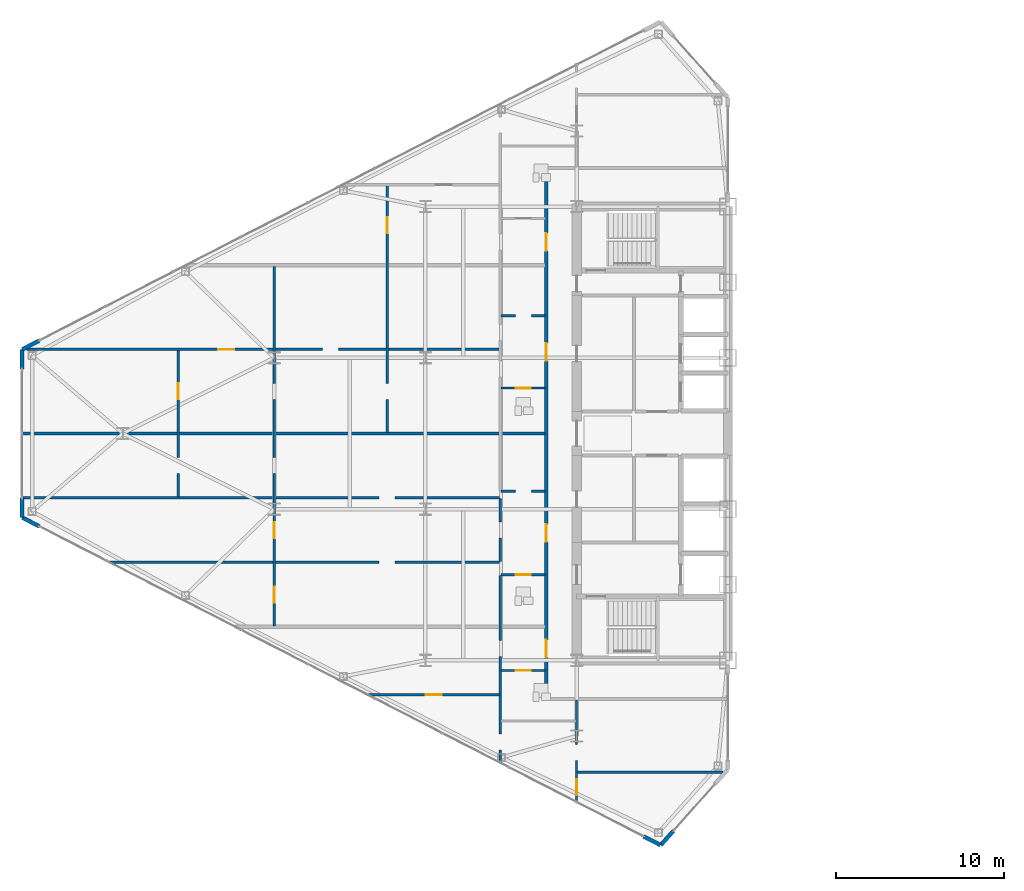
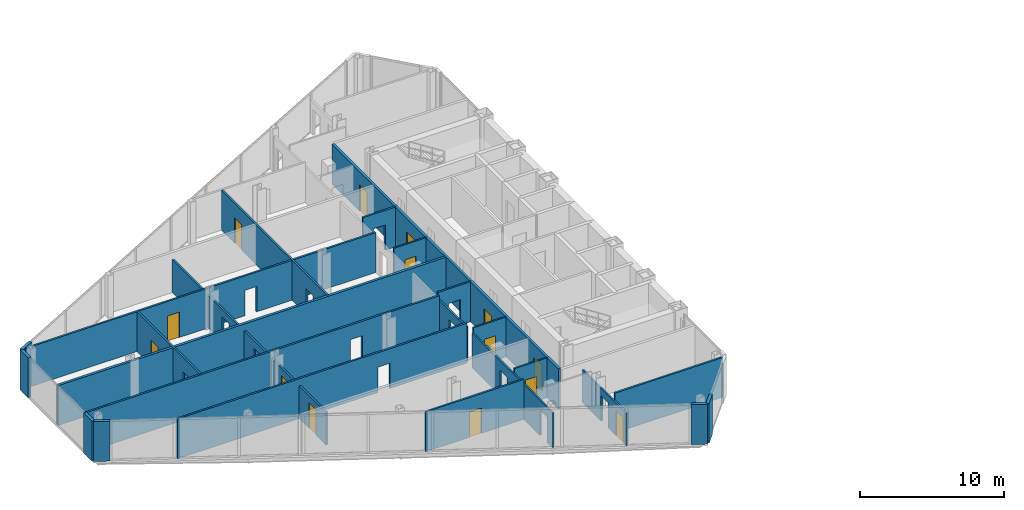
# One storey, part 16 of 24: 24 walls, 14 doors, 27 openings.
"""IFC4 building model written with IfcOpenShell, lengths in metres."""

from ifc_helpers import new_model, si_unit, direction, frame, frame_2d, origin, place, context, subcontext, project, spatial, rectangle, extrude, source, transform, mapped, material, layer, layer_set, type_object, type_shapes, element, fill, save


model = new_model("IFC4")

# Units and contexts
model_context = context("Model", 3, precision=1e-05, world=origin(), true_north=direction((0.0, 1.0)))
body_context = subcontext(model_context, "Body", "Model", "MODEL_VIEW")
ifc_project = project(units=[si_unit("LENGTHUNIT", "METRE"), si_unit("AREAUNIT", "SQUARE_METRE"), si_unit("VOLUMEUNIT", "CUBIC_METRE"), si_unit("PLANEANGLEUNIT", "RADIAN"), si_unit("MASSUNIT", "GRAM", prefix="KILO")], contexts=[model_context])

# Site, building, storey
site_placement = place(None, origin())
site = spatial("IfcSite", under=ifc_project, at=site_placement, CompositionType="ELEMENT")
building_placement = place(site_placement, origin())
building = spatial("IfcBuilding", under=site, at=building_placement, Name="Seokmaru Belvedere", CompositionType="ELEMENT")
storey_placement = place(building_placement, frame((0.0, 0.0, 140.39990234375)))
storey = spatial("IfcBuildingStorey", under=building, at=storey_placement, Name="L37", CompositionType="ELEMENT", Elevation=140.39990234375)

# Wall
ifc_material_1 = material(Name="Fire-Rated Gypsum Shaftwall")
ifc_layer_1 = layer(ifc_material_1, 0.14990234375)
ifc_layer_set_1 = layer_set([ifc_layer_1], Name="Fire-Rated Gypsum Shaftwall")
wall_type_1 = type_object("IfcWallType", Name="Apartment Fire-Acoustic Room Partition 150", PredefinedType="PARTITIONING", material=ifc_layer_set_1)
wall_1_placement = place(storey_placement, frame((-36.449951171875, -20.14990234375, 0.0), z_axis=(0.0, 0.0, 1.0), x_axis=(1.0, 0.0, 0.0)))
element("IfcWall", 1, at=wall_1_placement, inside=storey, type_object=wall_type_1, Name="L37 Interior Partition 001", PredefinedType="PARTITIONING", context=body_context, shape_type="SweptSolid", body=[
    extrude(rectangle(XDim=8.6494140625, YDim=0.14990234375, at=frame_2d((4.32470703125, 0.0))), origin(), (0.0, 0.0, 1.0), 3.380126953125),
])

# Wall, opening, door
wall_2_placement = place(storey_placement, frame((-48.97705078125, -15.550048828125, 0.0), z_axis=(0.0, 0.0, 1.0), x_axis=(1.0, 0.0, 0.0)))
wall_2 = element("IfcWall", 2, at=wall_2_placement, inside=storey, type_object=wall_type_1, Name="L37 Interior Partition 005", PredefinedType="PARTITIONING", context=body_context, shape_type="SweptSolid", body=[
    extrude(rectangle(XDim=7.876953125, YDim=0.14990234375, at=frame_2d((3.9384765625, 0.0))), origin(), (0.0, 0.0, 1.0), 3.380126953125),
])
opening_1_placement = place(wall_2_placement, frame((3.506103515625, 0.0, 0.0)))
opening_1 = element("IfcOpeningElement", 3, at=opening_1_placement, cuts=wall_2, Name="Opening D05", PredefinedType="OPENING", context=body_context, shape_type="SweptSolid", body=[
    extrude(rectangle(XDim=0.949951171875, YDim=2.14990234375, at=frame_2d((0.47509765625, 1.074951171875))), frame((0.0, 0.0849609375, 0.0), z_axis=(0.0, -1.0, 0.0), x_axis=(1.0, 0.0, 0.0)), (0.0, 0.0, 1.0), 0.169921875),
])
ifc_material_2 = material(Name="Engineered White Oak Timber", Category="wood")
door_type_1 = type_object("IfcDoorType", Name="Apartment Interior Fire-Rated Oak Door 950x2150", OperationType="NOTDEFINED", PredefinedType="DOOR", material=ifc_material_2)
shared_shape_1 = source(origin(), body_context, "Body", "SweptSolid", [
    extrude(rectangle(XDim=0.949951171875, YDim=2.14990234375, at=frame_2d((0.47509765625, 1.074951171875))), frame((0.0, 0.02490234375, 0.0), z_axis=(0.0, -1.0, 0.0), x_axis=(1.0, 0.0, 0.0)), (0.0, 0.0, 1.0), 0.050048828125),
])
type_shapes(door_type_1, [shared_shape_1])
door_1_placement = place(opening_1_placement, origin())
door_1 = element("IfcDoor", 4, at=door_1_placement, inside=storey, type_object=door_type_1, Name="L37 Interior Door 004", OperationType="SINGLE_SWING_RIGHT", OverallHeight=2.14990234375, OverallWidth=0.949951171875, PredefinedType="DOOR", context=body_context, shape_type="MappedRepresentation", body=[
    mapped(shared_shape_1, transform((0.0, 0.0, 0.0), scale=1.0)),
])
fill(opening_1, door_1)

# Wall, opening
wall_3_placement = place(storey_placement, frame((-64.337890625, -7.669921875, 0.0), z_axis=(0.0, 0.0, 1.0), x_axis=(1.0, 0.0, 0.0)))
wall_3 = element("IfcWall", 5, at=wall_3_placement, inside=storey, type_object=wall_type_1, Name="L37 Interior Partition 012", PredefinedType="PARTITIONING", context=body_context, shape_type="SweptSolid", body=[
    extrude(rectangle(XDim=23.23779296875, YDim=0.14990234375, at=frame_2d((11.618896484375, 0.0))), origin(), (0.0, 0.0, 1.0), 3.380126953125),
])
opening_2_placement = place(wall_3_placement, frame((16.087890625, 0.0, 0.0)))
element("IfcOpeningElement", 6, at=opening_2_placement, cuts=wall_3, Name="L37 Cased Opening 013", PredefinedType="OPENING", context=body_context, shape_type="SweptSolid", body=[
    extrude(rectangle(XDim=0.949951171875, YDim=2.14990234375, at=frame_2d((0.47509765625, 1.074951171875))), frame((0.0, 0.0849609375, 0.0), z_axis=(0.0, -1.0, 0.0), x_axis=(1.0, 0.0, 0.0)), (0.0, 0.0, 1.0), 0.169921875),
])

wall_4_placement = place(storey_placement, frame((-69.534912109375, -3.830078125, 0.0), z_axis=(0.0, 0.0, 1.0), x_axis=(1.0, 0.0, 0.0)))
wall_4 = element("IfcWall", 7, at=wall_4_placement, inside=storey, type_object=wall_type_1, Name="L37 Interior Partition 015", PredefinedType="PARTITIONING", context=body_context, shape_type="SweptSolid", body=[
    extrude(rectangle(XDim=28.434814453125, YDim=0.14990234375, at=frame_2d((14.21728515625, 0.0))), origin(), (0.0, 0.0, 1.0), 3.380126953125),
])
opening_3_placement = place(wall_4_placement, frame((21.284912109375, 0.0, 0.0)))
element("IfcOpeningElement", 8, at=opening_3_placement, cuts=wall_4, Name="L37 Cased Opening 014", PredefinedType="OPENING", context=body_context, shape_type="SweptSolid", body=[
    extrude(rectangle(XDim=0.949951171875, YDim=2.14990234375, at=frame_2d((0.47509765625, 1.074951171875))), frame((0.0, 0.0849609375, 0.0), z_axis=(0.0, -1.0, 0.0), x_axis=(1.0, 0.0, 0.0)), (0.0, 0.0, 1.0), 0.169921875),
])

wall_5_placement = place(storey_placement, frame((-41.0, -3.449951171875, 0.0), z_axis=(0.0, 0.0, 1.0), x_axis=(1.0, 0.0, 0.0)))
wall_5 = element("IfcWall", 9, at=wall_5_placement, inside=storey, type_object=wall_type_1, Name="L37 Interior Partition 016", PredefinedType="PARTITIONING", context=body_context, shape_type="SweptSolid", body=[
    extrude(rectangle(XDim=2.64990234375, YDim=0.14990234375, at=frame_2d((1.324951171875, 0.0))), origin(), (0.0, 0.0, 1.0), 3.380126953125),
])
opening_4_placement = place(wall_5_placement, frame((0.85009765625, 0.0, 0.0)))
element("IfcOpeningElement", 10, at=opening_4_placement, cuts=wall_5, Name="L37 Cased Opening 010", PredefinedType="OPENING", context=body_context, shape_type="SweptSolid", body=[
    extrude(rectangle(XDim=0.949951171875, YDim=2.14990234375, at=frame_2d((0.47509765625, 1.074951171875))), frame((0.0, 0.0849609375, 0.0), z_axis=(0.0, -1.0, 0.0), x_axis=(1.0, 0.0, 0.0)), (0.0, 0.0, 1.0), 0.169921875),
])

# Wall, openings, door
wall_6_placement = place(storey_placement, frame((-69.226318359375, 5.0, 0.0), z_axis=(0.0, 0.0, 1.0), x_axis=(1.0, 0.0, 0.0)))
wall_6 = element("IfcWall", 11, at=wall_6_placement, inside=storey, type_object=wall_type_1, Name="L37 Interior Partition 022", PredefinedType="PARTITIONING", context=body_context, shape_type="SweptSolid", body=[
    extrude(rectangle(XDim=28.126220703125, YDim=0.14990234375, at=frame_2d((14.06298828125, 0.0))), origin(), (0.0, 0.0, 1.0), 3.380126953125),
])
opening_5_placement = place(wall_6_placement, frame((11.4013671875, 0.0, 0.0)))
opening_5 = element("IfcOpeningElement", 12, at=opening_5_placement, cuts=wall_6, Name="Opening D05", PredefinedType="OPENING", context=body_context, shape_type="SweptSolid", body=[
    extrude(rectangle(XDim=0.949951171875, YDim=2.14990234375, at=frame_2d((0.47509765625, 1.074951171875))), frame((0.0, 0.0849609375, 0.0), z_axis=(0.0, -1.0, 0.0), x_axis=(1.0, 0.0, 0.0)), (0.0, 0.0, 1.0), 0.169921875),
])
opening_6_placement = place(wall_6_placement, frame((17.61376953125, 0.0, 0.0)))
element("IfcOpeningElement", 13, at=opening_6_placement, cuts=wall_6, Name="L37 Cased Opening 027", PredefinedType="OPENING", context=body_context, shape_type="SweptSolid", body=[
    extrude(rectangle(XDim=0.949951171875, YDim=2.14990234375, at=frame_2d((0.47509765625, 1.074951171875))), frame((0.0, 0.0849609375, 0.0), z_axis=(0.0, -1.0, 0.0), x_axis=(1.0, 0.0, 0.0)), (0.0, 0.0, 1.0), 0.169921875),
])
door_2_placement = place(opening_5_placement, origin())
door_2 = element("IfcDoor", 14, at=door_2_placement, inside=storey, type_object=door_type_1, Name="L37 Interior Door 026", OperationType="SINGLE_SWING_RIGHT", OverallHeight=2.14990234375, OverallWidth=0.949951171875, PredefinedType="DOOR", context=body_context, shape_type="MappedRepresentation", body=[
    mapped(shared_shape_1, transform((0.0, 0.0, 0.0), scale=1.0)),
])
fill(opening_5, door_2)

# Wall, opening
wall_7_placement = place(storey_placement, frame((-41.0, 7.0, 0.0), z_axis=(0.0, 0.0, 1.0), x_axis=(1.0, 0.0, 0.0)))
wall_7 = element("IfcWall", 15, at=wall_7_placement, inside=storey, type_object=wall_type_1, Name="L37 Interior Partition 025", PredefinedType="PARTITIONING", context=body_context, shape_type="SweptSolid", body=[
    extrude(rectangle(XDim=2.64990234375, YDim=0.14990234375, at=frame_2d((1.324951171875, 0.0))), origin(), (0.0, 0.0, 1.0), 3.380126953125),
])
opening_7_placement = place(wall_7_placement, frame((0.85009765625, 0.0, 0.0)))
element("IfcOpeningElement", 16, at=opening_7_placement, cuts=wall_7, Name="L37 Cased Opening 020", PredefinedType="OPENING", context=body_context, shape_type="SweptSolid", body=[
    extrude(rectangle(XDim=0.949951171875, YDim=2.14990234375, at=frame_2d((0.47509765625, 1.074951171875))), frame((0.0, 0.0849609375, 0.0), z_axis=(0.0, -1.0, 0.0), x_axis=(1.0, 0.0, 0.0)), (0.0, 0.0, 1.0), 0.169921875),
])

# Wall, openings, door
wall_8_placement = place(storey_placement, frame((-60.199951171875, -3.782958984375, 0.0), z_axis=(0.0, 0.0, 1.0), x_axis=(0.0, 1.0, 0.0)))
wall_8 = element("IfcWall", 17, at=wall_8_placement, inside=storey, type_object=wall_type_1, Name="L37 Interior Partition 034", PredefinedType="PARTITIONING", context=body_context, shape_type="SweptSolid", body=[
    extrude(rectangle(XDim=8.73291015625, YDim=0.14990234375, at=frame_2d((4.366455078125, 0.0))), origin(), (0.0, 0.0, 1.0), 3.380126953125),
])
opening_8_placement = place(wall_8_placement, frame((1.391357421875, 0.0, 0.0)))
element("IfcOpeningElement", 18, at=opening_8_placement, cuts=wall_8, Name="L37 Cased Opening 017", PredefinedType="OPENING", context=body_context, shape_type="SweptSolid", body=[
    extrude(rectangle(XDim=0.949951171875, YDim=2.14990234375, at=frame_2d((0.47509765625, 1.074951171875))), frame((0.0, 0.0849609375, 0.0), z_axis=(0.0, -1.0, 0.0), x_axis=(1.0, 0.0, 0.0)), (0.0, 0.0, 1.0), 0.169921875),
])
opening_9_placement = place(wall_8_placement, frame((5.80810546875, 0.0, 0.0)))
opening_9 = element("IfcOpeningElement", 19, at=opening_9_placement, cuts=wall_8, Name="Opening D05", PredefinedType="OPENING", context=body_context, shape_type="SweptSolid", body=[
    extrude(rectangle(XDim=0.949951171875, YDim=2.14990234375, at=frame_2d((0.47509765625, 1.074951171875))), frame((0.0, 0.0849609375, 0.0), z_axis=(0.0, -1.0, 0.0), x_axis=(1.0, 0.0, 0.0)), (0.0, 0.0, 1.0), 0.169921875),
])
door_3_placement = place(opening_9_placement, origin())
door_3 = element("IfcDoor", 20, at=door_3_placement, inside=storey, type_object=door_type_1, Name="L37 Interior Door 025", OperationType="SINGLE_SWING_RIGHT", OverallHeight=2.14990234375, OverallWidth=0.949951171875, PredefinedType="DOOR", context=body_context, shape_type="MappedRepresentation", body=[
    mapped(shared_shape_1, transform((0.0, 0.0, 0.0), scale=1.0)),
])
fill(opening_9, door_3)

# Wall, openings, doors
wall_9_placement = place(storey_placement, frame((-54.5, -11.449951171875, 0.0), z_axis=(0.0, 0.0, 1.0), x_axis=(0.0, 1.0, 0.0)))
wall_9 = element("IfcWall", 21, at=wall_9_placement, inside=storey, type_object=wall_type_1, Name="L37 Interior Partition 035", PredefinedType="PARTITIONING", context=body_context, shape_type="SweptSolid", body=[
    extrude(rectangle(XDim=21.39990234375, YDim=0.14990234375, at=frame_2d((10.699951171875, 0.0))), origin(), (0.0, 0.0, 1.0), 2.780029296875),
])
opening_10_placement = place(wall_9_placement, frame((5.22509765625, 0.0, 0.0)))
opening_10 = element("IfcOpeningElement", 22, at=opening_10_placement, cuts=wall_9, Name="Opening D05", PredefinedType="OPENING", context=body_context, shape_type="SweptSolid", body=[
    extrude(rectangle(XDim=0.949951171875, YDim=2.14990234375, at=frame_2d((0.47509765625, 1.074951171875))), frame((0.0, 0.0849609375, 0.0), z_axis=(0.0, -1.0, 0.0), x_axis=(1.0, 0.0, 0.0)), (0.0, 0.0, 1.0), 0.169921875),
])
opening_11_placement = place(wall_9_placement, frame((1.3916015625, 0.0, 0.0)))
opening_11 = element("IfcOpeningElement", 23, at=opening_11_placement, cuts=wall_9, Name="Opening D05", PredefinedType="OPENING", context=body_context, shape_type="SweptSolid", body=[
    extrude(rectangle(XDim=0.949951171875, YDim=2.14990234375, at=frame_2d((0.47509765625, 1.074951171875))), frame((0.0, 0.0849609375, 0.0), z_axis=(0.0, -1.0, 0.0), x_axis=(1.0, 0.0, 0.0)), (0.0, 0.0, 1.0), 0.169921875),
])
opening_12_placement = place(wall_9_placement, frame((9.058349609375, 0.0, 0.0)))
element("IfcOpeningElement", 24, at=opening_12_placement, cuts=wall_9, Name="L37 Cased Opening 016", PredefinedType="OPENING", context=body_context, shape_type="SweptSolid", body=[
    extrude(rectangle(XDim=0.949951171875, YDim=2.14990234375, at=frame_2d((0.47509765625, 1.074951171875))), frame((0.0, 0.0849609375, 0.0), z_axis=(0.0, -1.0, 0.0), x_axis=(1.0, 0.0, 0.0)), (0.0, 0.0, 1.0), 0.169921875),
])
opening_13_placement = place(wall_9_placement, frame((13.47509765625, 0.0, 0.0)))
element("IfcOpeningElement", 25, at=opening_13_placement, cuts=wall_9, Name="L37 Cased Opening 024", PredefinedType="OPENING", context=body_context, shape_type="SweptSolid", body=[
    extrude(rectangle(XDim=0.949951171875, YDim=2.14990234375, at=frame_2d((0.47509765625, 1.074951171875))), frame((0.0, 0.0849609375, 0.0), z_axis=(0.0, -1.0, 0.0), x_axis=(1.0, 0.0, 0.0)), (0.0, 0.0, 1.0), 0.169921875),
])
door_4_placement = place(opening_10_placement, origin())
door_4 = element("IfcDoor", 26, at=door_4_placement, inside=storey, type_object=door_type_1, Name="L37 Interior Door 012", OperationType="SINGLE_SWING_LEFT", OverallHeight=2.14990234375, OverallWidth=0.949951171875, PredefinedType="DOOR", context=body_context, shape_type="MappedRepresentation", body=[
    mapped(shared_shape_1, transform((0.0, 0.0, 0.0), scale=1.0)),
])
fill(opening_10, door_4)
door_5_placement = place(opening_11_placement, origin())
door_5 = element("IfcDoor", 27, at=door_5_placement, inside=storey, type_object=door_type_1, Name="L37 Interior Door 015", OperationType="SINGLE_SWING_LEFT", OverallHeight=2.14990234375, OverallWidth=0.949951171875, PredefinedType="DOOR", context=body_context, shape_type="MappedRepresentation", body=[
    mapped(shared_shape_1, transform((0.0, 0.0, 0.0), scale=1.0)),
])
fill(opening_11, door_5)

# Wall, openings, door
wall_10_placement = place(storey_placement, frame((-47.77001953125, 0.050048828125, 0.0), z_axis=(0.0, 0.0, 1.0), x_axis=(0.0, 1.0, 0.0)))
wall_10 = element("IfcWall", 28, at=wall_10_placement, inside=storey, type_object=wall_type_1, Name="L37 Interior Partition 036", PredefinedType="PARTITIONING", context=body_context, shape_type="SweptSolid", body=[
    extrude(rectangle(XDim=14.699951171875, YDim=0.14990234375, at=frame_2d((7.35009765625, 0.0))), origin(), (0.0, 0.0, 1.0), 3.380126953125),
])
opening_14_placement = place(wall_10_placement, frame((1.97509765625, 0.0, 0.0)))
element("IfcOpeningElement", 29, at=opening_14_placement, cuts=wall_10, Name="L37 Cased Opening 023", PredefinedType="OPENING", context=body_context, shape_type="SweptSolid", body=[
    extrude(rectangle(XDim=0.949951171875, YDim=2.14990234375, at=frame_2d((0.47509765625, 1.074951171875))), frame((0.0, 0.0849609375, 0.0), z_axis=(0.0, -1.0, 0.0), x_axis=(1.0, 0.0, 0.0)), (0.0, 0.0, 1.0), 0.169921875),
])
opening_15_placement = place(wall_10_placement, frame((11.874755859375, 0.0, 0.0)))
opening_15 = element("IfcOpeningElement", 30, at=opening_15_placement, cuts=wall_10, Name="Opening D05", PredefinedType="OPENING", context=body_context, shape_type="SweptSolid", body=[
    extrude(rectangle(XDim=0.949951171875, YDim=2.14990234375, at=frame_2d((0.47509765625, 1.074951171875))), frame((0.0, 0.0849609375, 0.0), z_axis=(0.0, -1.0, 0.0), x_axis=(1.0, 0.0, 0.0)), (0.0, 0.0, 1.0), 0.169921875),
])
door_6_placement = place(opening_15_placement, origin())
door_6 = element("IfcDoor", 31, at=door_6_placement, inside=storey, type_object=door_type_1, Name="L37 Interior Door 031", OperationType="SINGLE_SWING_RIGHT", OverallHeight=2.14990234375, OverallWidth=0.949951171875, PredefinedType="DOOR", context=body_context, shape_type="MappedRepresentation", body=[
    mapped(shared_shape_1, transform((0.0, 0.0, 0.0), scale=1.0)),
])
fill(opening_15, door_6)

# Wall, opening
wall_11_placement = place(storey_placement, frame((-41.050048828125, -7.616943359375, 0.0), z_axis=(0.0, 0.0, 1.0), x_axis=(0.0, 1.0, 0.0)))
wall_11 = element("IfcWall", 32, at=wall_11_placement, inside=storey, type_object=wall_type_1, Name="L37 Interior Partition 038", PredefinedType="PARTITIONING", context=body_context, shape_type="SweptSolid", body=[
    extrude(rectangle(XDim=3.73388671875, YDim=0.14990234375, at=frame_2d((1.866943359375, 0.0))), origin(), (0.0, 0.0, 1.0), 2.989990234375),
])
opening_16_placement = place(wall_11_placement, frame((1.39208984375, 0.0, 0.0)))
element("IfcOpeningElement", 33, at=opening_16_placement, cuts=wall_11, Name="L37 Cased Opening 011", PredefinedType="OPENING", context=body_context, shape_type="SweptSolid", body=[
    extrude(rectangle(XDim=0.949951171875, YDim=2.14990234375, at=frame_2d((0.47509765625, 1.074951171875))), frame((0.0, 0.0849609375, 0.0), z_axis=(0.0, -1.0, 0.0), x_axis=(1.0, 0.0, 0.0)), (0.0, 0.0, 1.0), 0.169921875),
])

# Wall
ifc_layer_2 = layer(ifc_material_1, 0.199951171875)
ifc_layer_set_2 = layer_set([ifc_layer_2], Name="Fire-Rated Gypsum Shaftwall")
wall_type_2 = type_object("IfcWallType", Name="Inter-Tenancy Fire Compartment Partition 200", PredefinedType="PARTITIONING", material=ifc_layer_set_2)
wall_12_placement = place(storey_placement, frame((-69.5048828125, 0.0, 0.0), z_axis=(0.0, 0.0, 1.0), x_axis=(1.0, 0.0, 0.0)))
element("IfcWall", 34, at=wall_12_placement, inside=storey, type_object=wall_type_2, Name="L37 Interior Partition 018", PredefinedType="PARTITIONING", context=body_context, shape_type="SweptSolid", body=[
    extrude(rectangle(XDim=31.125, YDim=0.199951171875, at=frame_2d((15.5625, 0.0))), origin(), (0.0, 0.0, 1.0), 3.380126953125),
])

# Wall, openings, doors
wall_13_placement = place(storey_placement, frame((-38.300048828125, -15.715087890625, 0.0), z_axis=(0.0, 0.0, 1.0), x_axis=(0.0, 1.0, 0.0)))
wall_13 = element("IfcWall", 35, at=wall_13_placement, inside=storey, type_object=wall_type_2, Name="L37 Interior Partition 040", PredefinedType="PARTITIONING", context=body_context, shape_type="SweptSolid", body=[
    extrude(rectangle(XDim=31.43017578125, YDim=0.199951171875, at=frame_2d((15.715087890625, 0.0))), origin(), (0.0, 0.0, 1.0), 3.380126953125),
])
opening_17_placement = place(wall_13_placement, frame((2.389892578125, 0.0, 0.0)))
opening_17 = element("IfcOpeningElement", 36, at=opening_17_placement, cuts=wall_13, Name="Opening D03", PredefinedType="OPENING", context=body_context, shape_type="SweptSolid", body=[
    extrude(rectangle(XDim=1.050048828125, YDim=2.25, at=frame_2d((0.52490234375, 1.125))), frame((0.0, 0.10986328125, 0.0), z_axis=(0.0, -1.0, 0.0), x_axis=(1.0, 0.0, 0.0)), (0.0, 0.0, 1.0), 0.219970703125),
])
opening_18_placement = place(wall_13_placement, frame((9.267578125, 0.0, 0.0)))
opening_18 = element("IfcOpeningElement", 37, at=opening_18_placement, cuts=wall_13, Name="Opening D03", PredefinedType="OPENING", context=body_context, shape_type="SweptSolid", body=[
    extrude(rectangle(XDim=1.050048828125, YDim=2.25, at=frame_2d((0.52490234375, 1.125))), frame((0.0, 0.10986328125, 0.0), z_axis=(0.0, -1.0, 0.0), x_axis=(1.0, 0.0, 0.0)), (0.0, 0.0, 1.0), 0.219970703125),
])
opening_19_placement = place(wall_13_placement, frame((20.0400390625, 0.0, 0.0)))
opening_19 = element("IfcOpeningElement", 38, at=opening_19_placement, cuts=wall_13, Name="Opening D03", PredefinedType="OPENING", context=body_context, shape_type="SweptSolid", body=[
    extrude(rectangle(XDim=1.050048828125, YDim=2.25, at=frame_2d((0.52490234375, 1.125))), frame((0.0, 0.10986328125, 0.0), z_axis=(0.0, -1.0, 0.0), x_axis=(1.0, 0.0, 0.0)), (0.0, 0.0, 1.0), 0.219970703125),
])
opening_20_placement = place(wall_13_placement, frame((26.58740234375, 0.0, 0.0)))
opening_20 = element("IfcOpeningElement", 39, at=opening_20_placement, cuts=wall_13, Name="Opening D03", PredefinedType="OPENING", context=body_context, shape_type="SweptSolid", body=[
    extrude(rectangle(XDim=1.050048828125, YDim=2.25, at=frame_2d((0.52490234375, 1.125))), frame((0.0, 0.10986328125, 0.0), z_axis=(0.0, -1.0, 0.0), x_axis=(1.0, 0.0, 0.0)), (0.0, 0.0, 1.0), 0.219970703125),
])
ifc_material_3 = material(Name="Fire-Rated Steel Leaf", Category="steel")
door_type_2 = type_object("IfcDoorType", Name="Apartment Entrance Fire Door 1050x2250", OperationType="NOTDEFINED", PredefinedType="DOOR", material=ifc_material_3)
shared_shape_2 = source(origin(), body_context, "Body", "SweptSolid", [
    extrude(rectangle(XDim=1.050048828125, YDim=2.25, at=frame_2d((0.52490234375, 1.125))), frame((0.0, 0.02490234375, 0.0), z_axis=(0.0, -1.0, 0.0), x_axis=(1.0, 0.0, 0.0)), (0.0, 0.0, 1.0), 0.050048828125),
])
type_shapes(door_type_2, [shared_shape_2])
door_7_placement = place(opening_17_placement, origin())
door_7 = element("IfcDoor", 40, at=door_7_placement, inside=storey, type_object=door_type_2, Name="L37 Interior Door 001", OperationType="SINGLE_SWING_RIGHT", OverallHeight=2.25, OverallWidth=1.050048828125, PredefinedType="DOOR", context=body_context, shape_type="MappedRepresentation", body=[
    mapped(shared_shape_2, transform((0.0, 0.0, 0.0), scale=1.0)),
])
fill(opening_17, door_7)
door_8_placement = place(opening_18_placement, origin())
door_8 = element("IfcDoor", 41, at=door_8_placement, inside=storey, type_object=door_type_2, Name="L37 Interior Door 008", OperationType="SINGLE_SWING_LEFT", OverallHeight=2.25, OverallWidth=1.050048828125, PredefinedType="DOOR", context=body_context, shape_type="MappedRepresentation", body=[
    mapped(shared_shape_2, transform((0.0, 0.0, 0.0), scale=1.0)),
])
fill(opening_18, door_8)
door_9_placement = place(opening_19_placement, origin())
door_9 = element("IfcDoor", 42, at=door_9_placement, inside=storey, type_object=door_type_2, Name="L37 Interior Door 018", OperationType="SINGLE_SWING_RIGHT", OverallHeight=2.25, OverallWidth=1.050048828125, PredefinedType="DOOR", context=body_context, shape_type="MappedRepresentation", body=[
    mapped(shared_shape_2, transform((0.0, 0.0, 0.0), scale=1.0)),
])
fill(opening_19, door_9)
door_10_placement = place(opening_20_placement, origin())
door_10 = element("IfcDoor", 43, at=door_10_placement, inside=storey, type_object=door_type_2, Name="L37 Interior Door 028", OperationType="SINGLE_SWING_LEFT", OverallHeight=2.25, OverallWidth=1.050048828125, PredefinedType="DOOR", context=body_context, shape_type="MappedRepresentation", body=[
    mapped(shared_shape_2, transform((0.0, 0.0, 0.0), scale=1.0)),
])
fill(opening_20, door_10)

# Wall, opening, door
ifc_layer_3 = layer(ifc_material_1, 0.1298828125)
ifc_layer_set_3 = layer_set([ifc_layer_3], Name="Fire-Rated Gypsum Shaftwall")
wall_type_3 = type_object("IfcWallType", Name="Moisture-Resistant Fire-Rated Bathroom Partition 130", PredefinedType="PARTITIONING", material=ifc_layer_set_3)
wall_14_placement = place(storey_placement, frame((-41.0, -14.10009765625, 0.0), z_axis=(0.0, 0.0, 1.0), x_axis=(1.0, 0.0, 0.0)))
wall_14 = element("IfcWall", 44, at=wall_14_placement, inside=storey, type_object=wall_type_3, Name="L37 Interior Partition 006", PredefinedType="PARTITIONING", context=body_context, shape_type="SweptSolid", body=[
    extrude(rectangle(XDim=2.64990234375, YDim=0.1298828125, at=frame_2d((1.324951171875, 0.0))), origin(), (0.0, 0.0, 1.0), 3.380126953125),
])
opening_21_placement = place(wall_14_placement, frame((0.885009765625, 0.0, 0.0)))
opening_21 = element("IfcOpeningElement", 45, at=opening_21_placement, cuts=wall_14, Name="Opening D06", PredefinedType="OPENING", context=body_context, shape_type="SweptSolid", body=[
    extrude(rectangle(XDim=0.8798828125, YDim=2.10009765625, at=frame_2d((0.43994140625, 1.050048828125))), frame((0.0, 0.074951171875, 0.0), z_axis=(0.0, -1.0, 0.0), x_axis=(1.0, 0.0, 0.0)), (0.0, 0.0, 1.0), 0.14990234375),
])
door_type_3 = type_object("IfcDoorType", Name="Bathroom and Restroom Fire-Rated Door 880x2100", OperationType="NOTDEFINED", PredefinedType="DOOR", material=ifc_material_2)
shared_shape_3 = source(origin(), body_context, "Body", "SweptSolid", [
    extrude(rectangle(XDim=0.8798828125, YDim=2.10009765625, at=frame_2d((0.43994140625, 1.050048828125))), frame((0.0, 0.02490234375, 0.0), z_axis=(0.0, -1.0, 0.0), x_axis=(1.0, 0.0, 0.0)), (0.0, 0.0, 1.0), 0.050048828125),
])
type_shapes(door_type_3, [shared_shape_3])
door_11_placement = place(opening_21_placement, origin())
door_11 = element("IfcDoor", 46, at=door_11_placement, inside=storey, type_object=door_type_3, Name="L37 Interior Door 002", OperationType="SINGLE_SWING_LEFT", OverallHeight=2.10009765625, OverallWidth=0.8798828125, PredefinedType="DOOR", context=body_context, shape_type="MappedRepresentation", body=[
    mapped(shared_shape_3, transform((0.0, 0.0, 0.0), scale=1.0)),
])
fill(opening_21, door_11)

wall_15_placement = place(storey_placement, frame((-41.0, -8.39990234375, 0.0), z_axis=(0.0, 0.0, 1.0), x_axis=(1.0, 0.0, 0.0)))
wall_15 = element("IfcWall", 47, at=wall_15_placement, inside=storey, type_object=wall_type_3, Name="L37 Interior Partition 010", PredefinedType="PARTITIONING", context=body_context, shape_type="SweptSolid", body=[
    extrude(rectangle(XDim=2.64990234375, YDim=0.1298828125, at=frame_2d((1.324951171875, 0.0))), origin(), (0.0, 0.0, 1.0), 3.380126953125),
])
opening_22_placement = place(wall_15_placement, frame((0.885009765625, 0.0, 0.0)))
opening_22 = element("IfcOpeningElement", 48, at=opening_22_placement, cuts=wall_15, Name="Opening D06", PredefinedType="OPENING", context=body_context, shape_type="SweptSolid", body=[
    extrude(rectangle(XDim=0.8798828125, YDim=2.10009765625, at=frame_2d((0.43994140625, 1.050048828125))), frame((0.0, 0.074951171875, 0.0), z_axis=(0.0, -1.0, 0.0), x_axis=(1.0, 0.0, 0.0)), (0.0, 0.0, 1.0), 0.14990234375),
])
door_12_placement = place(opening_22_placement, origin())
door_12 = element("IfcDoor", 49, at=door_12_placement, inside=storey, type_object=door_type_3, Name="L37 Interior Door 009", OperationType="SINGLE_SWING_LEFT", OverallHeight=2.10009765625, OverallWidth=0.8798828125, PredefinedType="DOOR", context=body_context, shape_type="MappedRepresentation", body=[
    mapped(shared_shape_3, transform((0.0, 0.0, 0.0), scale=1.0)),
])
fill(opening_22, door_12)

wall_16_placement = place(storey_placement, frame((-41.0, 2.699951171875, 0.0), z_axis=(0.0, 0.0, 1.0), x_axis=(1.0, 0.0, 0.0)))
wall_16 = element("IfcWall", 50, at=wall_16_placement, inside=storey, type_object=wall_type_3, Name="L37 Interior Partition 021", PredefinedType="PARTITIONING", context=body_context, shape_type="SweptSolid", body=[
    extrude(rectangle(XDim=2.64990234375, YDim=0.1298828125, at=frame_2d((1.324951171875, 0.0))), origin(), (0.0, 0.0, 1.0), 3.380126953125),
])
opening_23_placement = place(wall_16_placement, frame((0.885009765625, 0.0, 0.0)))
opening_23 = element("IfcOpeningElement", 51, at=opening_23_placement, cuts=wall_16, Name="Opening D06", PredefinedType="OPENING", context=body_context, shape_type="SweptSolid", body=[
    extrude(rectangle(XDim=0.8798828125, YDim=2.10009765625, at=frame_2d((0.43994140625, 1.050048828125))), frame((0.0, 0.074951171875, 0.0), z_axis=(0.0, -1.0, 0.0), x_axis=(1.0, 0.0, 0.0)), (0.0, 0.0, 1.0), 0.14990234375),
])
door_13_placement = place(opening_23_placement, origin())
door_13 = element("IfcDoor", 52, at=door_13_placement, inside=storey, type_object=door_type_3, Name="L37 Interior Door 019", OperationType="SINGLE_SWING_LEFT", OverallHeight=2.10009765625, OverallWidth=0.8798828125, PredefinedType="DOOR", context=body_context, shape_type="MappedRepresentation", body=[
    mapped(shared_shape_3, transform((0.0, 0.0, 0.0), scale=1.0)),
])
fill(opening_23, door_13)

# Wall, openings
wall_17_placement = place(storey_placement, frame((-41.050048828125, -19.634033203125, 0.0), z_axis=(0.0, 0.0, 1.0), x_axis=(0.0, 1.0, 0.0)))
wall_17 = element("IfcWall", 53, at=wall_17_placement, inside=storey, type_object=wall_type_3, Name="L37 Interior Partition 037", PredefinedType="PARTITIONING", context=body_context, shape_type="SweptSolid", body=[
    extrude(rectangle(XDim=11.18701171875, YDim=0.1298828125, at=frame_2d((5.593505859375, 0.0))), origin(), (0.0, 0.0, 1.0), 2.989990234375),
])
opening_24_placement = place(wall_17_placement, frame((6.35888671875, 0.0, 0.0)))
element("IfcOpeningElement", 54, at=opening_24_placement, cuts=wall_17, Name="L37 Cased Opening 003", PredefinedType="OPENING", context=body_context, shape_type="SweptSolid", body=[
    extrude(rectangle(XDim=0.949951171875, YDim=2.14990234375, at=frame_2d((0.47509765625, 1.074951171875))), frame((0.0, 0.074951171875, 0.0), z_axis=(0.0, -1.0, 0.0), x_axis=(1.0, 0.0, 0.0)), (0.0, 0.0, 1.0), 0.14990234375),
])
opening_25_placement = place(wall_17_placement, frame((0.809326171875, 0.0, 0.0)))
element("IfcOpeningElement", 55, at=opening_25_placement, cuts=wall_17, Name="L37 Cased Opening 005", PredefinedType="OPENING", context=body_context, shape_type="SweptSolid", body=[
    extrude(rectangle(XDim=0.949951171875, YDim=2.14990234375, at=frame_2d((0.47509765625, 1.074951171875))), frame((0.0, 0.074951171875, 0.0), z_axis=(0.0, -1.0, 0.0), x_axis=(1.0, 0.0, 0.0)), (0.0, 0.0, 1.0), 0.14990234375),
])

# Wall, openings, door
wall_18_placement = place(storey_placement, frame((-36.5, -21.968994140625, 0.0), z_axis=(0.0, 0.0, 1.0), x_axis=(0.0, 1.0, 0.0)))
wall_18 = element("IfcWall", 56, at=wall_18_placement, inside=storey, type_object=wall_type_3, Name="L37 Interior Partition 041", PredefinedType="PARTITIONING", context=body_context, shape_type="SweptSolid", body=[
    extrude(rectangle(XDim=6.118896484375, YDim=0.1298828125, at=frame_2d((3.0595703125, 0.0))), origin(), (0.0, 0.0, 1.0), 2.780029296875),
])
opening_26_placement = place(wall_18_placement, frame((0.451904296875, 0.0, 0.0)))
opening_26 = element("IfcOpeningElement", 57, at=opening_26_placement, cuts=wall_18, Name="Opening D05", PredefinedType="OPENING", context=body_context, shape_type="SweptSolid", body=[
    extrude(rectangle(XDim=0.949951171875, YDim=2.14990234375, at=frame_2d((0.47509765625, 1.074951171875))), frame((0.0, 0.074951171875, 0.0), z_axis=(0.0, -1.0, 0.0), x_axis=(1.0, 0.0, 0.0)), (0.0, 0.0, 1.0), 0.14990234375),
])
opening_27_placement = place(wall_18_placement, frame((2.5126953125, 0.0, 0.0)))
element("IfcOpeningElement", 58, at=opening_27_placement, cuts=wall_18, Name="L37 Cased Opening 007", PredefinedType="OPENING", context=body_context, shape_type="SweptSolid", body=[
    extrude(rectangle(XDim=0.949951171875, YDim=2.14990234375, at=frame_2d((0.47509765625, 1.074951171875))), frame((0.0, 0.074951171875, 0.0), z_axis=(0.0, -1.0, 0.0), x_axis=(1.0, 0.0, 0.0)), (0.0, 0.0, 1.0), 0.14990234375),
])
door_14_placement = place(opening_26_placement, origin())
door_14 = element("IfcDoor", 59, at=door_14_placement, inside=storey, type_object=door_type_1, Name="L37 Interior Door 006", OperationType="SINGLE_SWING_RIGHT", OverallHeight=2.14990234375, OverallWidth=0.949951171875, PredefinedType="DOOR", context=body_context, shape_type="MappedRepresentation", body=[
    mapped(shared_shape_1, transform((0.0, 0.0, 0.0), scale=1.0)),
])
fill(opening_26, door_14)

# Walls
ifc_material_4 = material(Name="Anodised Bronze Aluminium", Category="aluminium")
ifc_layer_4 = layer(ifc_material_4, 0.239990234375)
ifc_layer_set_4 = layer_set([ifc_layer_4], Name="Anodised Bronze Aluminium")
wall_type_4 = type_object("IfcWallType", Name="Tower Corner Spandrel Closure Wall 240", PredefinedType="SOLIDWALL", material=ifc_layer_set_4)
wall_19_placement = place(storey_placement, frame((-68.476806640625, 5.52490234375, 0.0), z_axis=(0.0, 0.0, 1.0), x_axis=(-0.889797395748, -0.456355776255, 0.0)))
element("IfcWall", 60, at=wall_19_placement, inside=storey, type_object=wall_type_4, Name="L37 W Corner Closure Pier 3B", PredefinedType="SOLIDWALL", context=body_context, shape_type="SweptSolid", body=[
    extrude(rectangle(XDim=1.14013671875, YDim=0.239990234375, at=frame_2d((0.570068359375, 0.0))), origin(), (0.0, 0.0, 1.0), 3.380126953125),
])
for number, where, z_axis, x_axis, name in (
    (61, (-69.5, 4.989990234375, 0.0), (0.0, 0.0, 1.0), (0.0, -1.0, 0.0), "L37 W Corner Closure Pier 4A"),
    (62, (-69.5, -3.85009765625, 0.0), (0.0, 0.0, 1.0), (0.0, -1.0, 0.0), "L37 W Corner Closure Pier 4B"),
):
    element("IfcWall", number, at=place(storey_placement, frame(where, z_axis=z_axis, x_axis=x_axis)), inside=storey, type_object=wall_type_4, Name=name, PredefinedType="SOLIDWALL", context=body_context, shape_type="SweptSolid", body=[
        extrude(rectangle(XDim=1.139892578125, YDim=0.239990234375, at=frame_2d((0.56982421875, 0.0))), origin(), (0.0, 0.0, 1.0), 3.380126953125),
    ])
for number, where, z_axis, x_axis, name in (
    (63, (-69.4912109375, -5.004638671875, 0.0), (0.0, 0.0, 1.0), (0.889797395748, -0.456355776255, 0.0), "L37 W Corner Closure Pier 5A"),
    (64, (-32.523193359375, -23.97509765625, 0.0), (0.0, 0.0, 1.0), (0.889797395748, -0.456355776255, 0.0), "L37 W Corner Closure Pier 5B"),
):
    element("IfcWall", number, at=place(storey_placement, frame(where, z_axis=z_axis, x_axis=x_axis)), inside=storey, type_object=wall_type_4, Name=name, PredefinedType="SOLIDWALL", context=body_context, shape_type="SweptSolid", body=[
        extrude(rectangle(XDim=1.14013671875, YDim=0.239990234375, at=frame_2d((0.570068359375, 0.0))), origin(), (0.0, 0.0, 1.0), 3.380126953125),
    ])
wall_20_placement = place(storey_placement, frame((-31.493408203125, -24.492431640625, 0.0), z_axis=(0.0, 0.0, 1.0), x_axis=(0.664337252513, 0.747432950119, 0.0)))
element("IfcWall", 65, at=wall_20_placement, inside=storey, type_object=wall_type_4, Name="L37 W Corner Closure Pier 6A", PredefinedType="SOLIDWALL", context=body_context, shape_type="SweptSolid", body=[
    extrude(rectangle(XDim=1.139892578125, YDim=0.239990234375, at=frame_2d((0.56982421875, 0.0))), origin(), (0.0, 0.0, 1.0), 3.380126953125),
])

save(model, "model.ifc")
